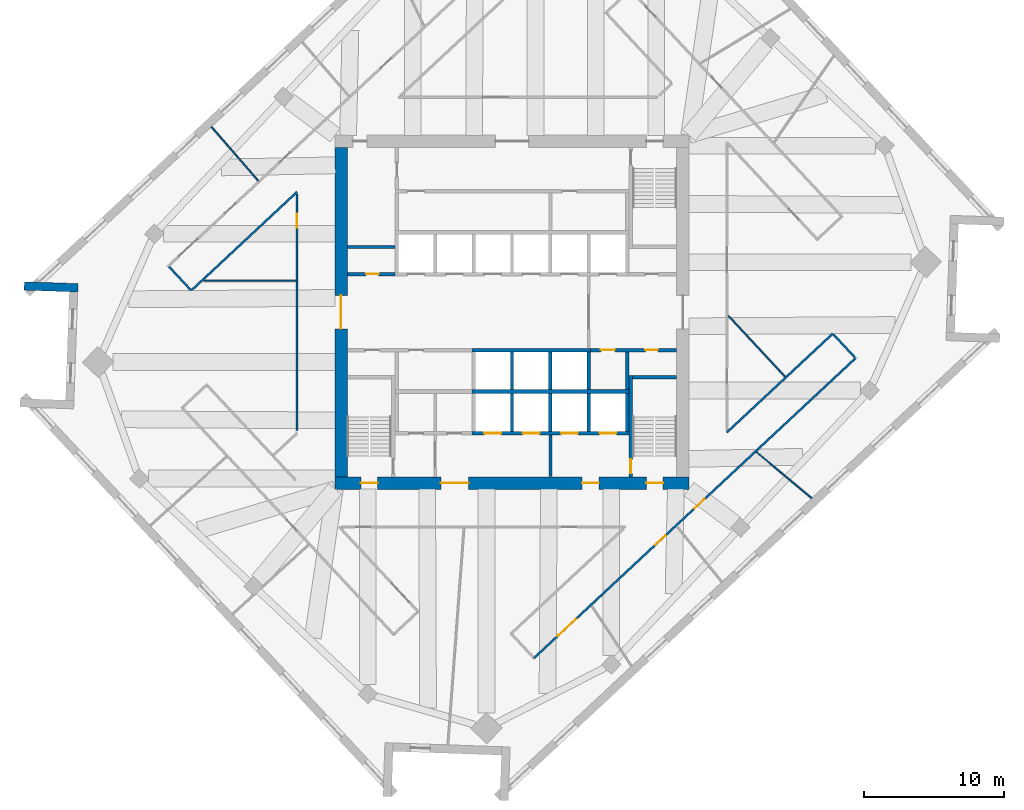
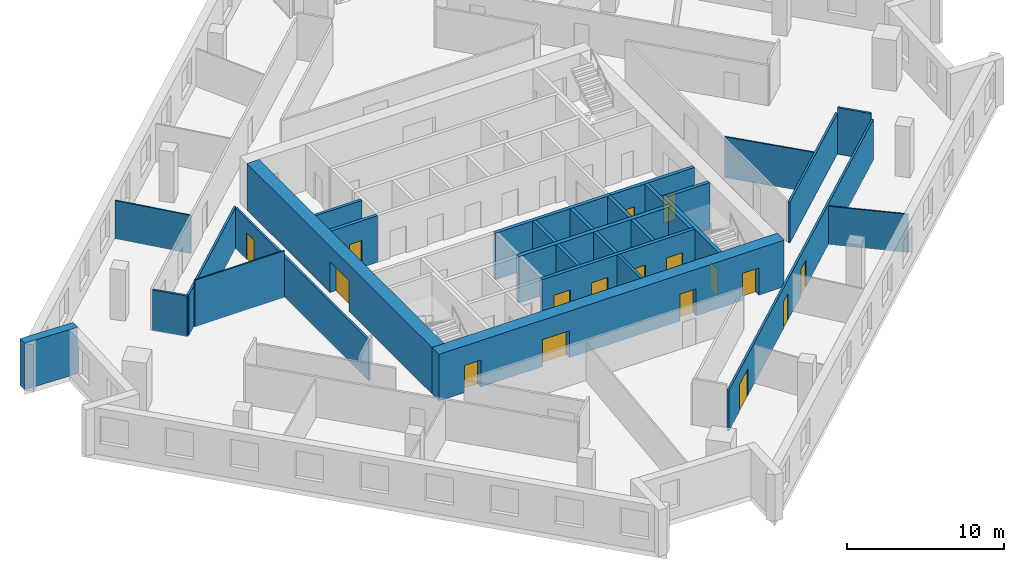
# One storey, part 5 of 10: 30 walls, 17 doors, 17 openings.
"""IFC4 building model written with IfcOpenShell, lengths in metres."""

from ifc_helpers import new_model, si_unit, direction, frame, frame_2d, origin, place, context, subcontext, project, spatial, rectangle, extrude, material, layer, layer_set, type_object, element, fill, save


model = new_model("IFC4")

# Units and contexts
model_context = context("Model", 3, precision=1e-05, world=origin(), true_north=direction((0.0, 1.0)))
body_context = subcontext(model_context, "Body", "Model", "MODEL_VIEW")
ifc_project = project(units=[si_unit("LENGTHUNIT", "METRE"), si_unit("AREAUNIT", "SQUARE_METRE"), si_unit("VOLUMEUNIT", "CUBIC_METRE"), si_unit("PLANEANGLEUNIT", "RADIAN"), si_unit("MASSUNIT", "GRAM", prefix="KILO")], contexts=[model_context])

# Site, building, storey
site_placement = place(None, origin())
site = spatial("IfcSite", under=ifc_project, at=site_placement, CompositionType="ELEMENT")
building_placement = place(site_placement, origin())
building = spatial("IfcBuilding", under=site, at=building_placement, Name="Dilmun Exchange Tower", CompositionType="ELEMENT")
storey_placement = place(building_placement, frame((0.0, 0.0, 197.300048828125)))
storey = spatial("IfcBuildingStorey", under=building, at=storey_placement, Name="L46", CompositionType="ELEMENT", Elevation=197.300048828125)

# Walls
ifc_material_1 = material(Name="Concrete C40/50", Category="concrete")
ifc_layer_1 = layer(ifc_material_1, 0.199951171875)
ifc_layer_set_1 = layer_set([ifc_layer_1], Name="Concrete C40/50")
wall_type_1 = type_object("IfcWallType", Name="Core partition wall 200", PredefinedType="PARTITIONING", material=ifc_layer_set_1)
wall_1_placement = place(storey_placement, frame((2.75, -11.794921875, 0.0), z_axis=(0.0, 0.0, 1.0), x_axis=(0.0, 1.0, 0.0)))
element("IfcWall", 1, at=wall_1_placement, inside=storey, type_object=wall_type_1, Name="L46 core partition wall 02", PredefinedType="PARTITIONING", context=body_context, shape_type="SweptSolid", body=[
    extrude(rectangle(XDim=2.989990234375, YDim=0.199951171875, at=frame_2d((1.4951171875, 0.0))), origin(), (0.0, 0.0, 1.0), 3.619873046875),
])
wall_2_placement = place(storey_placement, frame((-11.794921875, 4.675048828125, 0.0), z_axis=(0.0, 0.0, 1.0), x_axis=(1.0, 0.0, 0.0)))
element("IfcWall", 2, at=wall_2_placement, inside=storey, type_object=wall_type_1, Name="L46 core partition wall 14", PredefinedType="PARTITIONING", context=body_context, shape_type="SweptSolid", body=[
    extrude(rectangle(XDim=3.4150390625, YDim=0.199951171875, at=frame_2d((1.70751953125, 0.0))), origin(), (0.0, 0.0, 1.0), 3.619873046875),
])
ifc_layer_2 = layer(ifc_material_1, 0.25)
ifc_layer_set_2 = layer_set([ifc_layer_2], Name="Concrete C40/50")
wall_type_2 = type_object("IfcWallType", Name="Core partition wall 250", PredefinedType="PARTITIONING", material=ifc_layer_set_2)
wall_3_placement = place(storey_placement, frame((8.25, -5.544921875, 0.0), z_axis=(0.0, 0.0, 1.0), x_axis=(0.0, 1.0, 0.0)))
element("IfcWall", 3, at=wall_3_placement, inside=storey, type_object=wall_type_2, Name="L46 core partition wall 08", PredefinedType="PARTITIONING", context=body_context, shape_type="SweptSolid", body=[
    extrude(rectangle(XDim=2.68994140625, YDim=0.25, at=frame_2d((1.344970703125, 0.0))), origin(), (0.0, 0.0, 1.0), 3.619873046875),
])

# Wall, openings, doors
wall_4_placement = place(storey_placement, frame((5.6298828125, -2.72509765625, 0.0), z_axis=(0.0, 0.0, 1.0), x_axis=(1.0, 0.0, 0.0)))
wall_4 = element("IfcWall", 4, at=wall_4_placement, inside=storey, type_object=wall_type_2, Name="L46 core partition wall 10", PredefinedType="PARTITIONING", context=body_context, shape_type="SweptSolid", body=[
    extrude(rectangle(XDim=6.1650390625, YDim=0.25, at=frame_2d((3.08251953125, 0.0))), origin(), (0.0, 0.0, 1.0), 3.619873046875),
])
opening_1_placement = place(wall_4_placement, frame((0.7451171875, 0.0, 0.0)))
opening_1 = element("IfcOpeningElement", 5, at=opening_1_placement, cuts=wall_4, Name="Opening CD4", PredefinedType="OPENING", context=body_context, shape_type="SweptSolid", body=[
    extrude(rectangle(XDim=1.0, YDim=2.10009765625, at=frame_2d((0.5, 1.050048828125))), frame((0.0, 0.135009765625, 0.0), z_axis=(0.0, -1.0, 0.0), x_axis=(1.0, 0.0, 0.0)), (0.0, 0.0, 1.0), 0.27001953125),
])
opening_2_placement = place(wall_4_placement, frame((3.919921875, 0.0, 0.0)))
opening_2 = element("IfcOpeningElement", 6, at=opening_2_placement, cuts=wall_4, Name="Opening CD6", PredefinedType="OPENING", context=body_context, shape_type="SweptSolid", body=[
    extrude(rectangle(XDim=0.89990234375, YDim=2.10009765625, at=frame_2d((0.449951171875, 1.050048828125))), frame((0.0, 0.135009765625, 0.0), z_axis=(0.0, -1.0, 0.0), x_axis=(1.0, 0.0, 0.0)), (0.0, 0.0, 1.0), 0.27001953125),
])
ifc_material_2 = material(Name="Fire-rated steel door set", Category="steel")
door_type_1 = type_object("IfcDoorType", Name="Core room door 1000x2100", OperationType="SINGLE_SWING_LEFT", PredefinedType="DOOR", material=ifc_material_2)
door_1_placement = place(opening_1_placement, origin())
door_1 = element("IfcDoor", 7, at=door_1_placement, inside=storey, type_object=door_type_1, Name="L46 door Cleaners' store", OperationType="SINGLE_SWING_LEFT", OverallHeight=2.10009765625, OverallWidth=1.0, PredefinedType="DOOR", context=body_context, shape_type="SweptSolid", body=[
    extrude(rectangle(XDim=1.0, YDim=2.10009765625, at=frame_2d((0.5, 1.050048828125))), frame((0.0, 0.02490234375, 0.0), z_axis=(0.0, -1.0, 0.0), x_axis=(1.0, 0.0, 0.0)), (0.0, 0.0, 1.0), 0.050048828125),
])
fill(opening_1, door_1)
door_type_2 = type_object("IfcDoorType", Name="Core room door 900x2100", OperationType="SINGLE_SWING_LEFT", PredefinedType="DOOR", material=ifc_material_2)
door_2_placement = place(opening_2_placement, origin())
door_2 = element("IfcDoor", 8, at=door_2_placement, inside=storey, type_object=door_type_2, Name="L46 door Comms riser", OperationType="SINGLE_SWING_LEFT", OverallHeight=2.10009765625, OverallWidth=0.89990234375, PredefinedType="DOOR", context=body_context, shape_type="SweptSolid", body=[
    extrude(rectangle(XDim=0.89990234375, YDim=2.10009765625, at=frame_2d((0.449951171875, 1.050048828125))), frame((0.0, 0.02490234375, 0.0), z_axis=(0.0, -1.0, 0.0), x_axis=(1.0, 0.0, 0.0)), (0.0, 0.0, 1.0), 0.050048828125),
])
fill(opening_2, door_2)

# Wall, opening, door
wall_5_placement = place(storey_placement, frame((-11.794921875, 2.72509765625, 0.0), z_axis=(0.0, 0.0, 1.0), x_axis=(1.0, 0.0, 0.0)))
wall_5 = element("IfcWall", 9, at=wall_5_placement, inside=storey, type_object=wall_type_2, Name="L46 core partition wall 12", PredefinedType="PARTITIONING", context=body_context, shape_type="SweptSolid", body=[
    extrude(rectangle(XDim=3.4150390625, YDim=0.25, at=frame_2d((1.70751953125, 0.0))), origin(), (0.0, 0.0, 1.0), 3.619873046875),
])
opening_3_placement = place(wall_5_placement, frame((1.344970703125, 0.0, 0.0)))
opening_3 = element("IfcOpeningElement", 10, at=opening_3_placement, cuts=wall_5, Name="Opening CD6", PredefinedType="OPENING", context=body_context, shape_type="SweptSolid", body=[
    extrude(rectangle(XDim=0.89990234375, YDim=2.10009765625, at=frame_2d((0.449951171875, 1.050048828125))), frame((0.0, 0.135009765625, 0.0), z_axis=(0.0, -1.0, 0.0), x_axis=(1.0, 0.0, 0.0)), (0.0, 0.0, 1.0), 0.27001953125),
])
door_3_placement = place(opening_3_placement, origin())
door_3 = element("IfcDoor", 11, at=door_3_placement, inside=storey, type_object=door_type_2, Name="L46 door Plumbing riser", OperationType="SINGLE_SWING_LEFT", OverallHeight=2.10009765625, OverallWidth=0.89990234375, PredefinedType="DOOR", context=body_context, shape_type="SweptSolid", body=[
    extrude(rectangle(XDim=0.89990234375, YDim=2.10009765625, at=frame_2d((0.449951171875, 1.050048828125))), frame((0.0, 0.02490234375, 0.0), z_axis=(0.0, -1.0, 0.0), x_axis=(1.0, 0.0, 0.0)), (0.0, 0.0, 1.0), 0.050048828125),
])
fill(opening_3, door_3)

# Wall, openings, doors
ifc_material_3 = material(Name="Concrete C60/75", Category="concrete")
ifc_layer_3 = layer(ifc_material_3, 0.89990234375)
ifc_layer_set_3 = layer_set([ifc_layer_3], Name="Concrete C60/75")
wall_type_3 = type_object("IfcWallType", Name="Core shear wall 900 Concrete C60/75", PredefinedType="SHEAR", material=ifc_layer_set_3)
wall_6_placement = place(storey_placement, frame((-12.699951171875, -12.25, 0.0), z_axis=(0.0, 0.0, 1.0), x_axis=(1.0, 0.0, 0.0)))
wall_6 = element("IfcWall", 12, at=wall_6_placement, inside=storey, type_object=wall_type_3, Name="L46 core shear wall S", PredefinedType="SHEAR", context=body_context, shape_type="SweptSolid", body=[
    extrude(rectangle(XDim=25.39990234375, YDim=0.89990234375, at=frame_2d((12.699951171875, 0.0))), origin(), (0.0, 0.0, 1.0), 3.619873046875),
])
opening_4_placement = place(wall_6_placement, frame((7.60009765625, 0.0, 0.0)))
opening_4 = element("IfcOpeningElement", 13, at=opening_4_placement, cuts=wall_6, Name="Opening CD2", PredefinedType="OPENING", context=body_context, shape_type="SweptSolid", body=[
    extrude(rectangle(XDim=2.0, YDim=2.10009765625, at=frame_2d((1.0, 1.050048828125))), frame((0.0, 0.4599609375, 0.0), z_axis=(0.0, -1.0, 0.0), x_axis=(1.0, 0.0, 0.0)), (0.0, 0.0, 1.0), 0.919921875),
])
opening_5_placement = place(wall_6_placement, frame((17.72509765625, 0.0, 0.0)))
opening_5 = element("IfcOpeningElement", 14, at=opening_5_placement, cuts=wall_6, Name="Opening CD3", PredefinedType="OPENING", context=body_context, shape_type="SweptSolid", body=[
    extrude(rectangle(XDim=1.199951171875, YDim=2.10009765625, at=frame_2d((0.60009765625, 1.050048828125))), frame((0.0, 0.4599609375, 0.0), z_axis=(0.0, -1.0, 0.0), x_axis=(1.0, 0.0, 0.0)), (0.0, 0.0, 1.0), 0.919921875),
])
opening_6_placement = place(wall_6_placement, frame((1.875, 0.0, 0.0)))
opening_6 = element("IfcOpeningElement", 15, at=opening_6_placement, cuts=wall_6, Name="Opening CD3", PredefinedType="OPENING", context=body_context, shape_type="SweptSolid", body=[
    extrude(rectangle(XDim=1.199951171875, YDim=2.10009765625, at=frame_2d((0.60009765625, 1.050048828125))), frame((0.0, 0.4599609375, 0.0), z_axis=(0.0, -1.0, 0.0), x_axis=(1.0, 0.0, 0.0)), (0.0, 0.0, 1.0), 0.919921875),
])
opening_7_placement = place(wall_6_placement, frame((22.324951171875, 0.0, 0.0)))
opening_7 = element("IfcOpeningElement", 16, at=opening_7_placement, cuts=wall_6, Name="Opening CD3", PredefinedType="OPENING", context=body_context, shape_type="SweptSolid", body=[
    extrude(rectangle(XDim=1.199951171875, YDim=2.10009765625, at=frame_2d((0.60009765625, 1.050048828125))), frame((0.0, 0.4599609375, 0.0), z_axis=(0.0, -1.0, 0.0), x_axis=(1.0, 0.0, 0.0)), (0.0, 0.0, 1.0), 0.919921875),
])
door_type_3 = type_object("IfcDoorType", Name="Core service door 2000x2100", OperationType="DOUBLE_DOOR_DOUBLE_SWING", PredefinedType="DOOR", material=ifc_material_2)
door_4_placement = place(opening_4_placement, origin())
door_4 = element("IfcDoor", 17, at=door_4_placement, inside=storey, type_object=door_type_3, Name="L46 door South service lobby", OperationType="SINGLE_SWING_LEFT", OverallHeight=2.10009765625, OverallWidth=2.0, PredefinedType="DOOR", context=body_context, shape_type="SweptSolid", body=[
    extrude(rectangle(XDim=2.0, YDim=2.10009765625, at=frame_2d((1.0, 1.050048828125))), frame((0.0, 0.02490234375, 0.0), z_axis=(0.0, -1.0, 0.0), x_axis=(1.0, 0.0, 0.0)), (0.0, 0.0, 1.0), 0.050048828125),
])
fill(opening_4, door_4)
door_type_4 = type_object("IfcDoorType", Name="Stair exit door 1200x2100", OperationType="SINGLE_SWING_LEFT", PredefinedType="DOOR", material=ifc_material_2)
door_5_placement = place(opening_5_placement, origin())
door_5 = element("IfcDoor", 18, at=door_5_placement, inside=storey, type_object=door_type_4, Name="L46 door Fire-fighting lobby", OperationType="SINGLE_SWING_LEFT", OverallHeight=2.10009765625, OverallWidth=1.199951171875, PredefinedType="DOOR", context=body_context, shape_type="SweptSolid", body=[
    extrude(rectangle(XDim=1.199951171875, YDim=2.10009765625, at=frame_2d((0.60009765625, 1.050048828125))), frame((0.0, 0.02490234375, 0.0), z_axis=(0.0, -1.0, 0.0), x_axis=(1.0, 0.0, 0.0)), (0.0, 0.0, 1.0), 0.050048828125),
])
fill(opening_5, door_5)
door_6_placement = place(opening_6_placement, origin())
door_6 = element("IfcDoor", 19, at=door_6_placement, inside=storey, type_object=door_type_4, Name="L46 door Stair ST2", OperationType="SINGLE_SWING_LEFT", OverallHeight=2.10009765625, OverallWidth=1.199951171875, PredefinedType="DOOR", context=body_context, shape_type="SweptSolid", body=[
    extrude(rectangle(XDim=1.199951171875, YDim=2.10009765625, at=frame_2d((0.60009765625, 1.050048828125))), frame((0.0, 0.02490234375, 0.0), z_axis=(0.0, -1.0, 0.0), x_axis=(1.0, 0.0, 0.0)), (0.0, 0.0, 1.0), 0.050048828125),
])
fill(opening_6, door_6)
door_7_placement = place(opening_7_placement, origin())
door_7 = element("IfcDoor", 20, at=door_7_placement, inside=storey, type_object=door_type_4, Name="L46 door Stair ST3", OperationType="SINGLE_SWING_LEFT", OverallHeight=2.10009765625, OverallWidth=1.199951171875, PredefinedType="DOOR", context=body_context, shape_type="SweptSolid", body=[
    extrude(rectangle(XDim=1.199951171875, YDim=2.10009765625, at=frame_2d((0.60009765625, 1.050048828125))), frame((0.0, 0.02490234375, 0.0), z_axis=(0.0, -1.0, 0.0), x_axis=(1.0, 0.0, 0.0)), (0.0, 0.0, 1.0), 0.050048828125),
])
fill(opening_7, door_7)

# Wall, opening, door
wall_7_placement = place(storey_placement, frame((-12.25, -11.800048828125, 0.0), z_axis=(0.0, 0.0, 1.0), x_axis=(0.0, 1.0, 0.0)))
wall_7 = element("IfcWall", 21, at=wall_7_placement, inside=storey, type_object=wall_type_3, Name="L46 core shear wall W", PredefinedType="SHEAR", context=body_context, shape_type="SweptSolid", body=[
    extrude(rectangle(XDim=23.60009765625, YDim=0.89990234375, at=frame_2d((11.800048828125, 0.0))), origin(), (0.0, 0.0, 1.0), 3.619873046875),
])
opening_8_placement = place(wall_7_placement, frame((10.60009765625, 0.0, 0.0)))
opening_8 = element("IfcOpeningElement", 22, at=opening_8_placement, cuts=wall_7, Name="Opening CD1", PredefinedType="OPENING", context=body_context, shape_type="SweptSolid", body=[
    extrude(rectangle(XDim=2.39990234375, YDim=2.39990234375, at=frame_2d((1.199951171875, 1.199951171875))), frame((0.0, 0.4599609375, 0.0), z_axis=(0.0, -1.0, 0.0), x_axis=(1.0, 0.0, 0.0)), (0.0, 0.0, 1.0), 0.919921875),
])
door_type_5 = type_object("IfcDoorType", Name="Core lobby door 2400x2400", OperationType="DOUBLE_DOOR_DOUBLE_SWING", PredefinedType="DOOR", material=ifc_material_2)
door_8_placement = place(opening_8_placement, origin())
door_8 = element("IfcDoor", 23, at=door_8_placement, inside=storey, type_object=door_type_5, Name="L46 door Central lift lobby", OperationType="SINGLE_SWING_LEFT", OverallHeight=2.39990234375, OverallWidth=2.39990234375, PredefinedType="DOOR", context=body_context, shape_type="SweptSolid", body=[
    extrude(rectangle(XDim=2.39990234375, YDim=2.39990234375, at=frame_2d((1.199951171875, 1.199951171875))), frame((0.0, 0.02490234375, 0.0), z_axis=(0.0, -1.0, 0.0), x_axis=(1.0, 0.0, 0.0)), (0.0, 0.0, 1.0), 0.050048828125),
])
fill(opening_8, door_8)

# Walls
ifc_material_4 = material(Name="Corridor wall 150")
ifc_layer_4 = layer(ifc_material_4, 0.14990234375)
ifc_layer_set_4 = layer_set([ifc_layer_4], Name="Corridor wall 150")
wall_type_4 = type_object("IfcWallType", Name="Corridor wall 150", PredefinedType="PARTITIONING", material=ifc_layer_set_4)
wall_8_placement = place(storey_placement, frame((-24.57177734375, 3.24609375, 0.0), z_axis=(0.0, 0.0, 1.0), x_axis=(0.682052557528, -0.73130315791, 0.0)))
element("IfcWall", 24, at=wall_8_placement, inside=storey, type_object=wall_type_4, Name="Corridor wall", PredefinedType="PARTITIONING", context=body_context, shape_type="SweptSolid", body=[
    extrude(rectangle(XDim=2.324951171875, YDim=0.14990234375, at=frame_2d((1.16259765625, 0.0))), origin(), (0.0, 0.0, 1.0), 3.169921875),
])
wall_9_placement = place(storey_placement, frame((-22.93115234375, 1.59716796875, 0.0), z_axis=(0.0, 0.0, 1.0), x_axis=(0.73135636677, 0.681995502027, 0.0)))
element("IfcWall", 25, at=wall_9_placement, inside=storey, type_object=wall_type_4, Name="Corridor wall", PredefinedType="PARTITIONING", context=body_context, shape_type="SweptSolid", body=[
    extrude(rectangle(XDim=10.297607421875, YDim=0.14990234375, at=frame_2d((5.14892578125, 0.0))), origin(), (0.0, 0.0, 1.0), 3.169921875),
])

# Wall, opening, door
wall_10_placement = place(storey_placement, frame((-15.39990234375, -8.50048828125, 0.0), z_axis=(0.0, 0.0, 1.0), x_axis=(0.0, 1.0, 0.0)))
wall_10 = element("IfcWall", 26, at=wall_10_placement, inside=storey, type_object=wall_type_4, Name="Corridor wall", PredefinedType="PARTITIONING", context=body_context, shape_type="SweptSolid", body=[
    extrude(rectangle(XDim=16.947998046875, YDim=0.14990234375, at=frame_2d((8.47412109375, 0.0))), origin(), (0.0, 0.0, 1.0), 3.169921875),
])
opening_9_placement = place(wall_10_placement, frame((14.55078125, 0.0, 0.0)))
opening_9 = element("IfcOpeningElement", 27, at=opening_9_placement, cuts=wall_10, Name="Opening TF46-D04", PredefinedType="OPENING", context=body_context, shape_type="SweptSolid", body=[
    extrude(rectangle(XDim=1.0, YDim=2.10009765625, at=frame_2d((0.5, 1.050048828125))), frame((0.0, 0.0849609375, 0.0), z_axis=(0.0, -1.0, 0.0), x_axis=(1.0, 0.0, 0.0)), (0.0, 0.0, 1.0), 0.169921875),
])
ifc_material_5 = material(Name="Fire door 1000 x 2100")
door_type_6 = type_object("IfcDoorType", Name="Fire door 1000 x 2100", OperationType="NOTDEFINED", PredefinedType="DOOR", material=ifc_material_5)
door_9_placement = place(opening_9_placement, origin())
door_9 = element("IfcDoor", 28, at=door_9_placement, inside=storey, type_object=door_type_6, Name="Door TF46-D04", OperationType="SINGLE_SWING_RIGHT", OverallHeight=2.10009765625, OverallWidth=1.0, PredefinedType="DOOR", context=body_context, shape_type="SweptSolid", body=[
    extrude(rectangle(XDim=1.0, YDim=2.10009765625, at=frame_2d((0.5, 1.050048828125))), frame((0.0, 0.02490234375, 0.0), z_axis=(0.0, -1.0, 0.0), x_axis=(1.0, 0.0, 0.0)), (0.0, 0.0, 1.0), 0.050048828125),
])
fill(opening_9, door_9)

# Wall, openings, doors
wall_11_placement = place(storey_placement, frame((1.575927734375, -24.79296875, 0.0), z_axis=(0.0, 0.0, 1.0), x_axis=(0.731351215564, 0.68200102602, 0.0)))
wall_11 = element("IfcWall", 29, at=wall_11_placement, inside=storey, type_object=wall_type_4, Name="Corridor wall", PredefinedType="PARTITIONING", context=body_context, shape_type="SweptSolid", body=[
    extrude(rectangle(XDim=31.51318359375, YDim=0.14990234375, at=frame_2d((15.756591796875, 0.0))), origin(), (0.0, 0.0, 1.0), 3.169921875),
])
opening_10_placement = place(wall_11_placement, frame((2.300048828125, 0.0, 0.0)))
opening_10 = element("IfcOpeningElement", 30, at=opening_10_placement, cuts=wall_11, Name="Opening TF46-D09", PredefinedType="OPENING", context=body_context, shape_type="SweptSolid", body=[
    extrude(rectangle(XDim=1.800048828125, YDim=2.10009765625, at=frame_2d((0.89990234375, 1.050048828125))), frame((0.0, 0.0849609375, 0.0), z_axis=(0.0, -1.0, 0.0), x_axis=(1.0, 0.0, 0.0)), (0.0, 0.0, 1.0), 0.169921875),
])
opening_11_placement = place(wall_11_placement, frame((11.88330078125, 0.0, 0.0)))
opening_11 = element("IfcOpeningElement", 31, at=opening_11_placement, cuts=wall_11, Name="Opening TF46-D13", PredefinedType="OPENING", context=body_context, shape_type="SweptSolid", body=[
    extrude(rectangle(XDim=1.0, YDim=2.10009765625, at=frame_2d((0.5, 1.050048828125))), frame((0.0, 0.0849609375, 0.0), z_axis=(0.0, -1.0, 0.0), x_axis=(1.0, 0.0, 0.0)), (0.0, 0.0, 1.0), 0.169921875),
])
opening_12_placement = place(wall_11_placement, frame((15.7255859375, 0.0, 0.0)))
opening_12 = element("IfcOpeningElement", 32, at=opening_12_placement, cuts=wall_11, Name="Opening TF46-D14", PredefinedType="OPENING", context=body_context, shape_type="SweptSolid", body=[
    extrude(rectangle(XDim=1.0, YDim=2.10009765625, at=frame_2d((0.5, 1.050048828125))), frame((0.0, 0.0849609375, 0.0), z_axis=(0.0, -1.0, 0.0), x_axis=(1.0, 0.0, 0.0)), (0.0, 0.0, 1.0), 0.169921875),
])
door_10_placement = place(opening_11_placement, frame((1.0, 0.0, 0.0), z_axis=(0.0, 0.0, 1.0), x_axis=(-1.0, 0.0, 0.0)))
door_10 = element("IfcDoor", 33, at=door_10_placement, inside=storey, type_object=door_type_6, Name="Door TF46-D13", OperationType="SINGLE_SWING_LEFT", OverallHeight=2.10009765625, OverallWidth=1.0, PredefinedType="DOOR", context=body_context, shape_type="SweptSolid", body=[
    extrude(rectangle(XDim=1.0, YDim=2.10009765625, at=frame_2d((0.5, 1.050048828125))), frame((0.0, 0.02490234375, 0.0), z_axis=(0.0, -1.0, 0.0), x_axis=(1.0, 0.0, 0.0)), (0.0, 0.0, 1.0), 0.050048828125),
])
fill(opening_11, door_10)
door_11_placement = place(opening_12_placement, frame((1.0, 0.0, 0.0), z_axis=(0.0, 0.0, 1.0), x_axis=(-1.0, 0.0, 0.0)))
door_11 = element("IfcDoor", 34, at=door_11_placement, inside=storey, type_object=door_type_6, Name="Door TF46-D14", OperationType="SINGLE_SWING_LEFT", OverallHeight=2.10009765625, OverallWidth=1.0, PredefinedType="DOOR", context=body_context, shape_type="SweptSolid", body=[
    extrude(rectangle(XDim=1.0, YDim=2.10009765625, at=frame_2d((0.5, 1.050048828125))), frame((0.0, 0.02490234375, 0.0), z_axis=(0.0, -1.0, 0.0), x_axis=(1.0, 0.0, 0.0)), (0.0, 0.0, 1.0), 0.050048828125),
])
fill(opening_12, door_11)
ifc_material_6 = material(Name="Fire door pair 1800 x 2100")
door_type_7 = type_object("IfcDoorType", Name="Fire door pair 1800 x 2100", OperationType="NOTDEFINED", PredefinedType="DOOR", material=ifc_material_6)
door_12_placement = place(opening_10_placement, frame((1.800048828125, 0.0, 0.0), z_axis=(0.0, 0.0, 1.0), x_axis=(-1.0, 0.0, 0.0)))
door_12 = element("IfcDoor", 35, at=door_12_placement, inside=storey, type_object=door_type_7, Name="Door TF46-D09", OperationType="DOUBLE_DOOR_SINGLE_SWING", OverallHeight=2.10009765625, OverallWidth=1.800048828125, PredefinedType="DOOR", context=body_context, shape_type="SweptSolid", body=[
    extrude(rectangle(XDim=1.800048828125, YDim=2.10009765625, at=frame_2d((0.89990234375, 1.050048828125))), frame((0.0, 0.02490234375, 0.0), z_axis=(0.0, -1.0, 0.0), x_axis=(1.0, 0.0, 0.0)), (0.0, 0.0, 1.0), 0.050048828125),
])
fill(opening_10, door_12)

# Walls
wall_12_placement = place(storey_placement, frame((15.39990234375, -8.6201171875, 0.0), z_axis=(0.0, 0.0, 1.0), x_axis=(0.731354186133, 0.681997840485, 0.0)))
element("IfcWall", 36, at=wall_12_placement, inside=storey, type_object=wall_type_4, Name="Corridor wall", PredefinedType="PARTITIONING", context=body_context, shape_type="SweptSolid", body=[
    extrude(rectangle(XDim=10.372802734375, YDim=0.14990234375, at=frame_2d((5.1865234375, 0.0))), origin(), (0.0, 0.0, 1.0), 3.169921875),
])
wall_13_placement = place(storey_placement, frame((23.037109375, -1.600830078125, 0.0), z_axis=(0.0, 0.0, 1.0), x_axis=(0.682101713431, -0.731257309388, 0.0)))
element("IfcWall", 37, at=wall_13_placement, inside=storey, type_object=wall_type_4, Name="Corridor wall", PredefinedType="PARTITIONING", context=body_context, shape_type="SweptSolid", body=[
    extrude(rectangle(XDim=2.25, YDim=0.14990234375, at=frame_2d((1.125, 0.0))), origin(), (0.0, 0.0, 1.0), 3.619873046875),
])
ifc_layer_5 = layer(ifc_material_1, 0.300048828125)
ifc_layer_set_5 = layer_set([ifc_layer_5], Name="Concrete C40/50")
wall_type_5 = type_object("IfcWallType", Name="Lift shaft shared wall 300", PredefinedType="SOLIDWALL", material=ifc_layer_set_5)
wall_14_placement = place(storey_placement, frame((-2.875, -5.699951171875, 0.0), z_axis=(0.0, 0.0, 1.0), x_axis=(1.0, 0.0, 0.0)))
element("IfcWall", 38, at=wall_14_placement, inside=storey, type_object=wall_type_5, Name="L46 lift shaft rear wall S", PredefinedType="SOLIDWALL", context=body_context, shape_type="SweptSolid", body=[
    extrude(rectangle(XDim=11.25, YDim=0.300048828125, at=frame_2d((5.625, 0.0))), origin(), (0.0, 0.0, 1.0), 3.619873046875),
])
ifc_layer_6 = layer(ifc_material_1, 0.25)
ifc_layer_set_6 = layer_set([ifc_layer_6], Name="Concrete C40/50")
wall_type_6 = type_object("IfcWallType", Name="Lift shaft wall 250", PredefinedType="SOLIDWALL", material=ifc_layer_set_6)
wall_15_placement = place(storey_placement, frame((-2.875, -2.72509765625, 0.0), z_axis=(0.0, 0.0, 1.0), x_axis=(1.0, 0.0, 0.0)))
element("IfcWall", 39, at=wall_15_placement, inside=storey, type_object=wall_type_6, Name="L46 lift shaft front wall S1", PredefinedType="SOLIDWALL", context=body_context, shape_type="SweptSolid", body=[
    extrude(rectangle(XDim=8.5, YDim=0.25, at=frame_2d((4.25, 0.0))), origin(), (0.0, 0.0, 1.0), 3.619873046875),
])
for number, where, z_axis, x_axis, name in (
    (40, (0.0, -5.550048828125, 0.0), (0.0, 0.0, 1.0), (0.0, 1.0, 0.0), "L46 lift shaft divider S13"),
    (41, (2.75, -5.550048828125, 0.0), (0.0, 0.0, 1.0), (0.0, 1.0, 0.0), "L46 lift shaft divider S14"),
    (42, (5.5, -5.550048828125, 0.0), (0.0, 0.0, 1.0), (0.0, 1.0, 0.0), "L46 lift shaft divider S15"),
):
    element("IfcWall", number, at=place(storey_placement, frame(where, z_axis=z_axis, x_axis=x_axis)), inside=storey, type_object=wall_type_6, Name=name, PredefinedType="SOLIDWALL", context=body_context, shape_type="SweptSolid", body=[
        extrude(rectangle(XDim=2.699951171875, YDim=0.25, at=frame_2d((1.35009765625, 0.0))), origin(), (0.0, 0.0, 1.0), 3.619873046875),
    ])

# Wall, openings, doors
wall_16_placement = place(storey_placement, frame((-2.875, -8.675048828125, 0.0), z_axis=(0.0, 0.0, 1.0), x_axis=(1.0, 0.0, 0.0)))
wall_16 = element("IfcWall", 43, at=wall_16_placement, inside=storey, type_object=wall_type_6, Name="L46 lift shaft front wall S2", PredefinedType="SOLIDWALL", context=body_context, shape_type="SweptSolid", body=[
    extrude(rectangle(XDim=11.25, YDim=0.25, at=frame_2d((5.625, 0.0))), origin(), (0.0, 0.0, 1.0), 3.619873046875),
])
opening_13_placement = place(wall_16_placement, frame((0.89990234375, 0.0, 0.0)))
opening_13 = element("IfcOpeningElement", 44, at=opening_13_placement, cuts=wall_16, Name="Opening LD", PredefinedType="OPENING", context=body_context, shape_type="SweptSolid", body=[
    extrude(rectangle(XDim=1.199951171875, YDim=2.10009765625, at=frame_2d((0.60009765625, 1.050048828125))), frame((0.0, 0.135009765625, 0.0), z_axis=(0.0, -1.0, 0.0), x_axis=(1.0, 0.0, 0.0)), (0.0, 0.0, 1.0), 0.27001953125),
])
opening_14_placement = place(wall_16_placement, frame((3.64990234375, 0.0, 0.0)))
opening_14 = element("IfcOpeningElement", 45, at=opening_14_placement, cuts=wall_16, Name="Opening LD", PredefinedType="OPENING", context=body_context, shape_type="SweptSolid", body=[
    extrude(rectangle(XDim=1.199951171875, YDim=2.10009765625, at=frame_2d((0.60009765625, 1.050048828125))), frame((0.0, 0.135009765625, 0.0), z_axis=(0.0, -1.0, 0.0), x_axis=(1.0, 0.0, 0.0)), (0.0, 0.0, 1.0), 0.27001953125),
])
opening_15_placement = place(wall_16_placement, frame((6.39990234375, 0.0, 0.0)))
opening_15 = element("IfcOpeningElement", 46, at=opening_15_placement, cuts=wall_16, Name="Opening LD", PredefinedType="OPENING", context=body_context, shape_type="SweptSolid", body=[
    extrude(rectangle(XDim=1.199951171875, YDim=2.10009765625, at=frame_2d((0.60009765625, 1.050048828125))), frame((0.0, 0.135009765625, 0.0), z_axis=(0.0, -1.0, 0.0), x_axis=(1.0, 0.0, 0.0)), (0.0, 0.0, 1.0), 0.27001953125),
])
opening_16_placement = place(wall_16_placement, frame((9.14990234375, 0.0, 0.0)))
opening_16 = element("IfcOpeningElement", 47, at=opening_16_placement, cuts=wall_16, Name="Opening LD", PredefinedType="OPENING", context=body_context, shape_type="SweptSolid", body=[
    extrude(rectangle(XDim=1.199951171875, YDim=2.10009765625, at=frame_2d((0.60009765625, 1.050048828125))), frame((0.0, 0.135009765625, 0.0), z_axis=(0.0, -1.0, 0.0), x_axis=(1.0, 0.0, 0.0)), (0.0, 0.0, 1.0), 0.27001953125),
])
door_type_8 = type_object("IfcDoorType", Name="Lift landing door 1200x2100", OperationType="DOUBLE_DOOR_SLIDING", PredefinedType="DOOR", material=ifc_material_2)
door_13_placement = place(opening_13_placement, origin())
door_13 = element("IfcDoor", 48, at=door_13_placement, inside=storey, type_object=door_type_8, Name="L46 landing door SV1", OperationType="DOUBLE_DOOR_SLIDING", OverallHeight=2.10009765625, OverallWidth=1.199951171875, PredefinedType="DOOR", context=body_context, shape_type="SweptSolid", body=[
    extrude(rectangle(XDim=1.199951171875, YDim=2.10009765625, at=frame_2d((0.60009765625, 1.050048828125))), frame((0.0, 0.02490234375, 0.0), z_axis=(0.0, -1.0, 0.0), x_axis=(1.0, 0.0, 0.0)), (0.0, 0.0, 1.0), 0.050048828125),
])
fill(opening_13, door_13)
door_14_placement = place(opening_14_placement, origin())
door_14 = element("IfcDoor", 49, at=door_14_placement, inside=storey, type_object=door_type_8, Name="L46 landing door SV2", OperationType="DOUBLE_DOOR_SLIDING", OverallHeight=2.10009765625, OverallWidth=1.199951171875, PredefinedType="DOOR", context=body_context, shape_type="SweptSolid", body=[
    extrude(rectangle(XDim=1.199951171875, YDim=2.10009765625, at=frame_2d((0.60009765625, 1.050048828125))), frame((0.0, 0.02490234375, 0.0), z_axis=(0.0, -1.0, 0.0), x_axis=(1.0, 0.0, 0.0)), (0.0, 0.0, 1.0), 0.050048828125),
])
fill(opening_14, door_14)
door_15_placement = place(opening_15_placement, origin())
door_15 = element("IfcDoor", 50, at=door_15_placement, inside=storey, type_object=door_type_8, Name="L46 landing door FF1", OperationType="DOUBLE_DOOR_SLIDING", OverallHeight=2.10009765625, OverallWidth=1.199951171875, PredefinedType="DOOR", context=body_context, shape_type="SweptSolid", body=[
    extrude(rectangle(XDim=1.199951171875, YDim=2.10009765625, at=frame_2d((0.60009765625, 1.050048828125))), frame((0.0, 0.02490234375, 0.0), z_axis=(0.0, -1.0, 0.0), x_axis=(1.0, 0.0, 0.0)), (0.0, 0.0, 1.0), 0.050048828125),
])
fill(opening_15, door_15)
door_16_placement = place(opening_16_placement, origin())
door_16 = element("IfcDoor", 51, at=door_16_placement, inside=storey, type_object=door_type_8, Name="L46 landing door FF2", OperationType="DOUBLE_DOOR_SLIDING", OverallHeight=2.10009765625, OverallWidth=1.199951171875, PredefinedType="DOOR", context=body_context, shape_type="SweptSolid", body=[
    extrude(rectangle(XDim=1.199951171875, YDim=2.10009765625, at=frame_2d((0.60009765625, 1.050048828125))), frame((0.0, 0.02490234375, 0.0), z_axis=(0.0, -1.0, 0.0), x_axis=(1.0, 0.0, 0.0)), (0.0, 0.0, 1.0), 0.050048828125),
])
fill(opening_16, door_16)

# Walls
for number, where, z_axis, x_axis, name in (
    (52, (0.0, -8.550048828125, 0.0), (0.0, 0.0, 1.0), (0.0, 1.0, 0.0), "L46 lift shaft divider S23"),
    (53, (2.75, -8.550048828125, 0.0), (0.0, 0.0, 1.0), (0.0, 1.0, 0.0), "L46 lift shaft divider S24"),
    (54, (5.5, -8.550048828125, 0.0), (0.0, 0.0, 1.0), (0.0, 1.0, 0.0), "L46 lift shaft divider S25"),
    (55, (8.25, -8.550048828125, 0.0), (0.0, 0.0, 1.0), (0.0, 1.0, 0.0), "L46 lift shaft divider S26"),
):
    element("IfcWall", number, at=place(storey_placement, frame(where, z_axis=z_axis, x_axis=x_axis)), inside=storey, type_object=wall_type_6, Name=name, PredefinedType="SOLIDWALL", context=body_context, shape_type="SweptSolid", body=[
        extrude(rectangle(XDim=2.699951171875, YDim=0.25, at=frame_2d((1.35009765625, 0.0))), origin(), (0.0, 0.0, 1.0), 3.619873046875),
    ])
ifc_material_7 = material(Name="Partition 100")
ifc_layer_7 = layer(ifc_material_7, 0.10009765625)
ifc_layer_set_7 = layer_set([ifc_layer_7], Name="Partition 100")
wall_type_7 = type_object("IfcWallType", Name="Partition 100", PredefinedType="PARTITIONING", material=ifc_layer_set_7)
wall_17_placement = place(storey_placement, frame((-22.0673828125, 2.25, 0.0), z_axis=(0.0, 0.0, 1.0), x_axis=(1.0, 0.0, 0.0)))
element("IfcWall", 56, at=wall_17_placement, inside=storey, type_object=wall_type_7, Name="Partition", PredefinedType="PARTITIONING", context=body_context, shape_type="SweptSolid", body=[
    extrude(rectangle(XDim=6.59228515625, YDim=0.10009765625, at=frame_2d((3.296142578125, 0.0))), origin(), (0.0, 0.0, 1.0), 3.619873046875),
])
wall_18_placement = place(storey_placement, frame((-21.54150390625, 13.272216796875, 0.0), z_axis=(0.0, 0.0, 1.0), x_axis=(0.655282861231, -0.755383592472, 0.0)))
element("IfcWall", 57, at=wall_18_placement, inside=storey, type_object=wall_type_7, Name="Partition", PredefinedType="PARTITIONING", context=body_context, shape_type="SweptSolid", body=[
    extrude(rectangle(XDim=5.116943359375, YDim=0.10009765625, at=frame_2d((2.55859375, 0.0))), origin(), (0.0, 0.0, 1.0), 2.969970703125),
])
wall_19_placement = place(storey_placement, frame((15.51171875, -0.276611328125, 0.0), z_axis=(0.0, 0.0, 1.0), x_axis=(0.681935181867, -0.731412611138, 0.0)))
element("IfcWall", 58, at=wall_19_placement, inside=storey, type_object=wall_type_7, Name="Partition", PredefinedType="PARTITIONING", context=body_context, shape_type="SweptSolid", body=[
    extrude(rectangle(XDim=5.950927734375, YDim=0.10009765625, at=frame_2d((2.9755859375, 0.0))), origin(), (0.0, 0.0, 1.0), 3.169921875),
])
wall_20_placement = place(storey_placement, frame((17.526611328125, -10.029541015625, 0.0), z_axis=(0.0, 0.0, 1.0), x_axis=(0.76649272058, -0.642252994775, 0.0)))
element("IfcWall", 59, at=wall_20_placement, inside=storey, type_object=wall_type_7, Name="Partition", PredefinedType="PARTITIONING", context=body_context, shape_type="SweptSolid", body=[
    extrude(rectangle(XDim=5.1484375, YDim=0.10009765625, at=frame_2d((2.57421875, 0.0))), origin(), (0.0, 0.0, 1.0), 2.969970703125),
])
ifc_material_8 = material(Name="Precast concrete C50/60", Category="concrete")
ifc_layer_8 = layer(ifc_material_8, 0.60009765625)
ifc_layer_set_8 = layer_set([ifc_layer_8], Name="Precast concrete C50/60")
wall_type_8 = type_object("IfcWallType", Name="Precast stone-clad wall 600", PredefinedType="STANDARD", material=ifc_layer_set_8)
wall_21_placement = place(storey_placement, frame((-34.957763671875, 1.874755859375, 0.0), z_axis=(0.0, 0.0, 1.0), x_axis=(0.999390522456, -0.034908217157, 0.0)))
element("IfcWall", 60, at=wall_21_placement, inside=storey, type_object=wall_type_8, Name="Facade wall L46-04", PredefinedType="STANDARD", context=body_context, shape_type="SweptSolid", body=[
    extrude(rectangle(XDim=3.8466796875, YDim=0.60009765625, at=frame_2d((1.92333984375, 0.0))), origin(), (0.0, 0.0, 1.0), 3.619873046875),
])
ifc_layer_9 = layer(ifc_material_1, 0.25)
ifc_layer_set_9 = layer_set([ifc_layer_9], Name="Concrete C40/50")
wall_type_9 = type_object("IfcWallType", Name="Stair end wall 250", PredefinedType="SOLIDWALL", material=ifc_layer_set_9)
wall_22_placement = place(storey_placement, frame((8.64990234375, -4.675048828125, 0.0), z_axis=(0.0, 0.0, 1.0), x_axis=(1.0, 0.0, 0.0)))
element("IfcWall", 61, at=wall_22_placement, inside=storey, type_object=wall_type_9, Name="L46 ST3 far wall", PredefinedType="SOLIDWALL", context=body_context, shape_type="SweptSolid", body=[
    extrude(rectangle(XDim=3.150146484375, YDim=0.25, at=frame_2d((1.5751953125, 0.0))), origin(), (0.0, 0.0, 1.0), 3.619873046875),
])

# Wall, opening, door
ifc_layer_10 = layer(ifc_material_1, 0.27490234375)
ifc_layer_set_10 = layer_set([ifc_layer_10], Name="Concrete C40/50")
wall_type_10 = type_object("IfcWallType", Name="Stair wall 275", PredefinedType="SOLIDWALL", material=ifc_layer_set_10)
wall_23_placement = place(storey_placement, frame((8.512451171875, -4.550048828125, 0.0), z_axis=(0.0, 0.0, 1.0), x_axis=(0.0, -1.0, 0.0)))
wall_23 = element("IfcWall", 62, at=wall_23_placement, inside=storey, type_object=wall_type_10, Name="L46 ST3 wall to lift block", PredefinedType="SOLIDWALL", context=body_context, shape_type="SweptSolid", body=[
    extrude(rectangle(XDim=7.25, YDim=0.27490234375, at=frame_2d((3.625, 0.0))), origin(), (0.0, 0.0, 1.0), 3.619873046875),
])
opening_17_placement = place(wall_23_placement, frame((6.0, 0.0, 0.0)))
opening_17 = element("IfcOpeningElement", 63, at=opening_17_placement, cuts=wall_23, Name="Opening CD4", PredefinedType="OPENING", context=body_context, shape_type="SweptSolid", body=[
    extrude(rectangle(XDim=1.0, YDim=2.10009765625, at=frame_2d((0.5, 1.050048828125))), frame((0.0, 0.1474609375, 0.0), z_axis=(0.0, -1.0, 0.0), x_axis=(1.0, 0.0, 0.0)), (0.0, 0.0, 1.0), 0.294921875),
])
door_17_placement = place(opening_17_placement, origin())
door_17 = element("IfcDoor", 64, at=door_17_placement, inside=storey, type_object=door_type_1, Name="L46 door ST3 from lobby", OperationType="SINGLE_SWING_LEFT", OverallHeight=2.10009765625, OverallWidth=1.0, PredefinedType="DOOR", context=body_context, shape_type="SweptSolid", body=[
    extrude(rectangle(XDim=1.0, YDim=2.10009765625, at=frame_2d((0.5, 1.050048828125))), frame((0.0, 0.02490234375, 0.0), z_axis=(0.0, -1.0, 0.0), x_axis=(1.0, 0.0, 0.0)), (0.0, 0.0, 1.0), 0.050048828125),
])
fill(opening_17, door_17)

save(model, "model.ifc")
